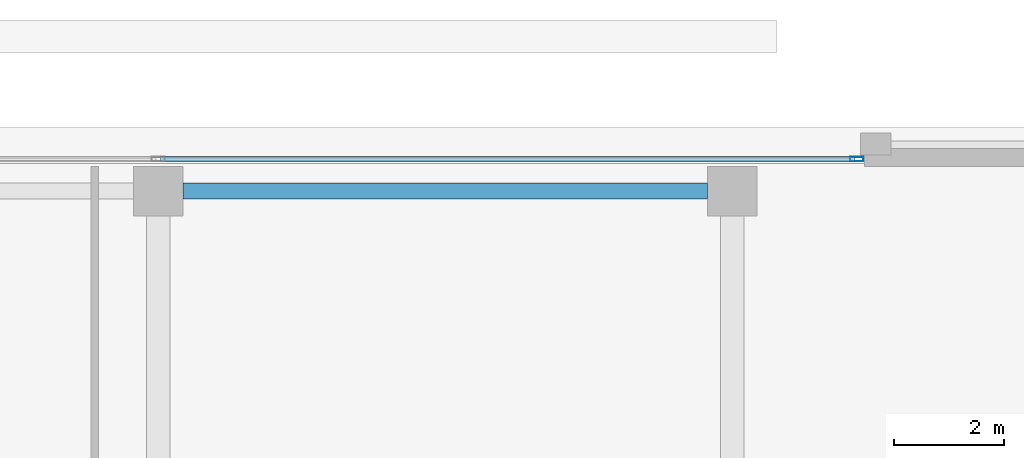
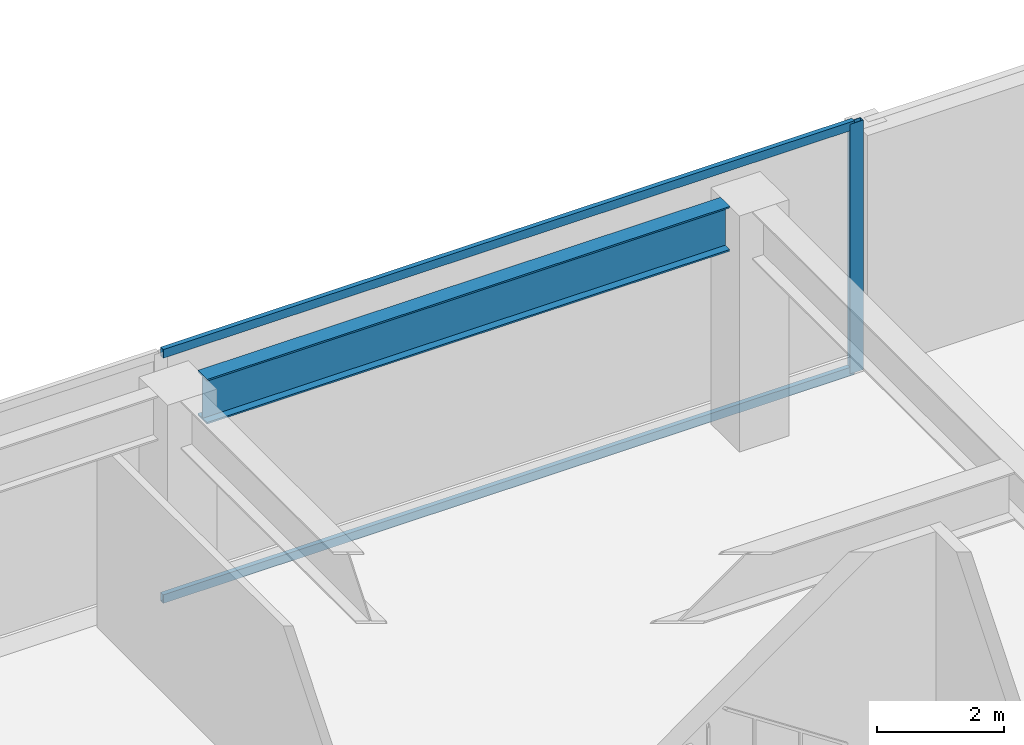
# One storey, part 23 of 44: 3 members, 1 beam, 1 element without a shape of its own.
"""IFC4 building model written with IfcOpenShell, lengths in metres."""

from ifc_helpers import new_model, si_unit, direction, frame, origin, origin_2d, place, context, subcontext, project, spatial, hollow_rectangle, i_section, extrude, material, material_profile, profile_set, type_object, element, aggregate, save


model = new_model("IFC4")

# Units and contexts
model_context = context("Model", 3, precision=1e-05, world=origin(), true_north=direction((0.0, 1.0)))
body_context = subcontext(model_context, "Body", "Model", "MODEL_VIEW")
ifc_project = project(units=[si_unit("LENGTHUNIT", "METRE"), si_unit("AREAUNIT", "SQUARE_METRE"), si_unit("VOLUMEUNIT", "CUBIC_METRE"), si_unit("PLANEANGLEUNIT", "RADIAN"), si_unit("MASSUNIT", "GRAM", prefix="KILO")], contexts=[model_context])

# Site, building, storey
site_placement = place(None, origin())
site = spatial("IfcSite", under=ifc_project, at=site_placement, CompositionType="ELEMENT")
building_placement = place(site_placement, origin())
building = spatial("IfcBuilding", under=site, at=building_placement, Name="Tashvorn Skyway Center", CompositionType="ELEMENT")
storey_placement = place(building_placement, frame((0.0, 0.0, 5.39990234375)))
storey = spatial("IfcBuildingStorey", under=building, at=storey_placement, Name="L01", CompositionType="ELEMENT", Elevation=5.39990234375)

# Beam
ifc_material_1 = material(Name="Steel ASTM A992 Grade 50", Category="steel")
ifc_material_profile_1 = material_profile(ifc_material_1, i_section(OverallWidth=0.2919921875, OverallDepth=0.85888671875, WebThickness=0.01708984375, FlangeThickness=0.031005859375, at=origin_2d()), Name="W33X169")
ifc_profile_set_1 = profile_set([ifc_material_profile_1], Name="Steel ASTM A992 Grade 50")
beam_type = type_object("IfcBeamType", Name="BM-BEAM-W33X169", PredefinedType="BEAM", material=ifc_profile_set_1)
beam_placement = place(storey_placement, frame((77.2451171875, 63.199951171875, 4.110595703125), z_axis=(1.0, 0.0, 0.0), x_axis=(0.0, 1.0, 0.0)))
element("IfcBeam", 1, at=beam_placement, inside=storey, type_object=beam_type, Name="L01 Central Podium Girder B 09", PredefinedType="BEAM", context=body_context, shape_type="SweptSolid", body=[
    extrude(i_section(OverallWidth=0.2919921875, OverallDepth=0.85888671875, WebThickness=0.01708984375, FlangeThickness=0.031005859375, at=origin_2d()), origin(), (0.0, 0.0, 1.0), 9.509765625),
])

# Curtain wall, members
ifc_material_2 = material(Name="Thermally broken bronze-anodized aluminium 6063-T6", Category="aluminium")
curtain_wall_type = type_object("IfcCurtainWallType", Name="CW-CW-Z1", PredefinedType="NOTDEFINED", material=ifc_material_2)
curtain_wall_placement = place(storey_placement, origin())
curtain_wall = element("IfcCurtainWall", 2, at=curtain_wall_placement, inside=storey, type_object=curtain_wall_type, Name="L01 North Station Arcade Curtain Wall 2", PredefinedType="NOTDEFINED")
ifc_material_profile_2 = material_profile(ifc_material_2, hollow_rectangle(XDim=0.0849609375, YDim=0.239990234375, WallThickness=0.0048828125, at=origin_2d()), Name="ALU-MULL-85x240")
ifc_profile_set_2 = profile_set([ifc_material_profile_2], Name="Thermally broken bronze-anodized aluminium 6063-T6")
member_type_1 = type_object("IfcMemberType", Name="CWM-CW-Z1", PredefinedType="MULLION", material=ifc_profile_set_2)
member_1_placement = place(storey_placement, frame((89.45751953125, 63.780029296875, 0.0), z_axis=(0.0, 0.0, 1.0), x_axis=(0.0, 1.0, 0.0)))
member_1 = element("IfcMember", 3, at=member_1_placement, type_object=member_type_1, Name="CW-Z1 mullion 3", PredefinedType="MULLION", context=body_context, shape_type="SweptSolid", body=[
    extrude(hollow_rectangle(XDim=0.0849609375, YDim=0.239990234375, WallThickness=0.0048828125, at=origin_2d()), origin(), (0.0, 0.0, 1.0), 4.800048828125),
])
ifc_material_profile_3 = material_profile(ifc_material_2, hollow_rectangle(XDim=0.0849609375, YDim=0.1650390625, WallThickness=0.0048828125, at=origin_2d()), Name="ALU-TRAN-85x165")
ifc_profile_set_3 = profile_set([ifc_material_profile_3], Name="Thermally broken bronze-anodized aluminium 6063-T6")
member_type_2 = type_object("IfcMemberType", Name="CWT-CW-Z1", PredefinedType="USERDEFINED", material=ifc_profile_set_3)
member_2_placement = place(storey_placement, frame((76.842529296875, 63.780029296875, 0.04248046875), z_axis=(1.0, 0.0, 0.0), x_axis=(0.0, 1.0, 0.0)))
member_2 = element("IfcMember", 4, at=member_2_placement, type_object=member_type_2, Name="CW-Z1 transom 2.1", ObjectType="TRANSOM", PredefinedType="USERDEFINED", context=body_context, shape_type="SweptSolid", body=[
    extrude(hollow_rectangle(XDim=0.0849609375, YDim=0.1650390625, WallThickness=0.0048828125, at=origin_2d()), origin(), (0.0, 0.0, 1.0), 12.572509765625),
])
member_3_placement = place(storey_placement, frame((76.842529296875, 63.780029296875, 4.757568359375), z_axis=(1.0, 0.0, 0.0), x_axis=(0.0, 1.0, 0.0)))
member_3 = element("IfcMember", 5, at=member_3_placement, type_object=member_type_2, Name="CW-Z1 transom 2.2", ObjectType="TRANSOM", PredefinedType="USERDEFINED", context=body_context, shape_type="SweptSolid", body=[
    extrude(hollow_rectangle(XDim=0.0849609375, YDim=0.1650390625, WallThickness=0.0048828125, at=origin_2d()), origin(), (0.0, 0.0, 1.0), 12.572509765625),
])
aggregate(curtain_wall, [member_1, member_2, member_3])

save(model, "model.ifc")
